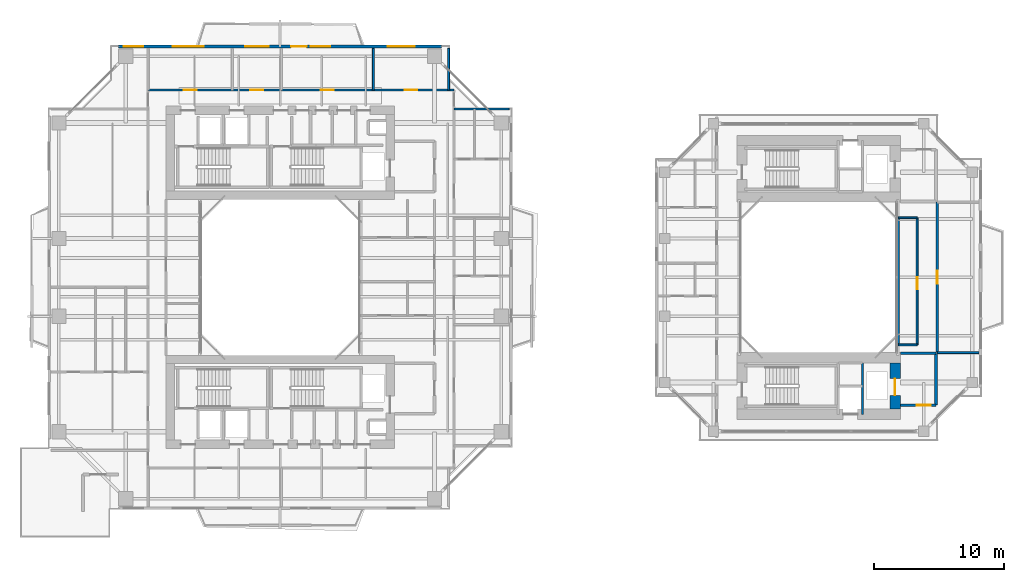
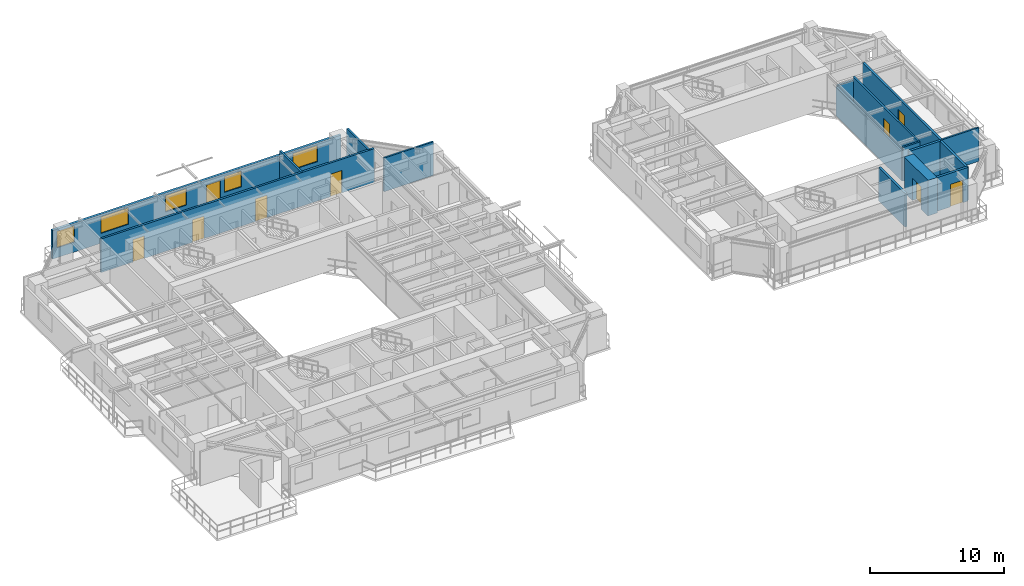
# One storey, part 17 of 23: 16 walls, 9 doors, 5 windows, 14 openings.
"""IFC4 building model written with IfcOpenShell, lengths in metres."""

from ifc_helpers import new_model, si_unit, direction, frame, frame_2d, origin, place, context, subcontext, project, spatial, rectangle, extrude, source, transform, mapped, material, layer, layer_set, type_object, element, fill, save


model = new_model("IFC4")

# Units and contexts
model_context = context("Model", 3, precision=1e-05, world=origin(), true_north=direction((0.0, 1.0)))
body_context = subcontext(model_context, "Body", "Model", "MODEL_VIEW")
ifc_project = project(units=[si_unit("LENGTHUNIT", "METRE"), si_unit("AREAUNIT", "SQUARE_METRE"), si_unit("VOLUMEUNIT", "CUBIC_METRE"), si_unit("PLANEANGLEUNIT", "RADIAN"), si_unit("MASSUNIT", "GRAM", prefix="KILO"), si_unit("THERMODYNAMICTEMPERATUREUNIT", "KELVIN"), si_unit("POWERUNIT", "WATT")], contexts=[model_context])

# Site, building, storey
site_placement = place(None, origin())
site = spatial("IfcSite", under=ifc_project, at=site_placement, CompositionType="ELEMENT")
building_placement = place(site_placement, origin())
building = spatial("IfcBuilding", under=site, at=building_placement, Name="Qiaomeng Ring Towers", CompositionType="ELEMENT")
storey_placement = place(building_placement, frame((0.0, 0.0, 103.5)))
storey = spatial("IfcBuildingStorey", under=building, at=storey_placement, Name="L29", CompositionType="ELEMENT", Elevation=103.5)

# Wall, openings, windows, door
ifc_material_1 = material(Name="Precast concrete C40", Category="concrete")
ifc_layer_1 = layer(ifc_material_1, 0.219970703125, Name="Precast concrete C40")
ifc_layer_set_1 = layer_set([ifc_layer_1], Name="Precast concrete C40")
wall_type_1 = type_object("IfcWallType", Name="ARC-WL-EW2", PredefinedType="STANDARD", material=ifc_layer_set_1)
wall_1_placement = place(storey_placement, frame((6.550048828125, 40.7900390625, 0.0), z_axis=(0.0, 0.0, 1.0), x_axis=(1.0, 0.0, 0.0)))
wall_1 = element("IfcWall", 1, at=wall_1_placement, inside=storey, type_object=wall_type_1, Name="L29 Tower 1 N Exterior Wall", PredefinedType="STANDARD", context=body_context, shape_type="SweptSolid", body=[
    extrude(rectangle(XDim=24.89990234375, YDim=0.219970703125, at=frame_2d((12.449951171875, 0.0))), origin(), (0.0, 0.0, 1.0), 2.610107421875),
])
opening_1_placement = place(wall_1_placement, frame((13.300048828125, 0.0, 0.0)))
opening_1 = element("IfcOpeningElement", 2, at=opening_1_placement, cuts=wall_1, Name="Opening BD1", PredefinedType="OPENING", context=body_context, shape_type="SweptSolid", body=[
    extrude(rectangle(XDim=1.199951171875, YDim=2.10009765625, at=frame_2d((0.60009765625, 1.050048828125))), frame((0.0, 0.119873046875, 0.0), z_axis=(0.0, -1.0, 0.0), x_axis=(1.0, 0.0, 0.0)), (0.0, 0.0, 1.0), 0.239990234375),
])
opening_2_placement = place(wall_1_placement, frame((0.392578125, 0.0, 0.89990234375)))
opening_2 = element("IfcOpeningElement", 3, at=opening_2_placement, cuts=wall_1, Name="Opening WN2", PredefinedType="OPENING", context=body_context, shape_type="SweptSolid", body=[
    extrude(rectangle(XDim=1.5, YDim=1.5, at=frame_2d((0.75, 0.75))), frame((0.0, 0.119873046875, 0.0), z_axis=(0.0, -1.0, 0.0), x_axis=(1.0, 0.0, 0.0)), (0.0, 0.0, 1.0), 0.239990234375),
])
opening_3_placement = place(wall_1_placement, frame((9.760009765625, 0.0, 0.89990234375)))
opening_3 = element("IfcOpeningElement", 4, at=opening_3_placement, cuts=wall_1, Name="Opening WN1", PredefinedType="OPENING", context=body_context, shape_type="SweptSolid", body=[
    extrude(rectangle(XDim=1.800048828125, YDim=1.5, at=frame_2d((0.89990234375, 0.75))), frame((0.0, 0.119873046875, 0.0), z_axis=(0.0, -1.0, 0.0), x_axis=(1.0, 0.0, 0.0)), (0.0, 0.0, 1.0), 0.239990234375),
])
opening_4_placement = place(wall_1_placement, frame((14.81298828125, 0.0, 0.89990234375)))
opening_4 = element("IfcOpeningElement", 5, at=opening_4_placement, cuts=wall_1, Name="Opening WN2", PredefinedType="OPENING", context=body_context, shape_type="SweptSolid", body=[
    extrude(rectangle(XDim=1.5, YDim=1.449951171875, at=frame_2d((0.75, 0.72509765625))), frame((0.0, 0.119873046875, 0.0), z_axis=(0.0, -1.0, 0.0), x_axis=(1.0, 0.0, 0.0)), (0.0, 0.0, 1.0), 0.239990234375),
])
opening_5_placement = place(wall_1_placement, frame((20.738037109375, 0.0, 0.89990234375)))
opening_5 = element("IfcOpeningElement", 6, at=opening_5_placement, cuts=wall_1, Name="Opening WN4", PredefinedType="OPENING", context=body_context, shape_type="SweptSolid", body=[
    extrude(rectangle(XDim=2.10009765625, YDim=1.47998046875, at=frame_2d((1.050048828125, 0.739990234375))), frame((0.0, 0.119873046875, 0.0), z_axis=(0.0, -1.0, 0.0), x_axis=(1.0, 0.0, 0.0)), (0.0, 0.0, 1.0), 0.239990234375),
])
opening_6_placement = place(wall_1_placement, frame((4.17138671875, 0.0, 0.89990234375)))
opening_6 = element("IfcOpeningElement", 7, at=opening_6_placement, cuts=wall_1, Name="Opening WN6", PredefinedType="OPENING", context=body_context, shape_type="SweptSolid", body=[
    extrude(rectangle(XDim=2.39990234375, YDim=1.5, at=frame_2d((1.199951171875, 0.75))), frame((0.0, 0.119873046875, 0.0), z_axis=(0.0, -1.0, 0.0), x_axis=(1.0, 0.0, 0.0)), (0.0, 0.0, 1.0), 0.239990234375),
])
ifc_material_2 = material(Name="Low-E dark-grey laminated double glazing", Category="glass")
window_type_1 = type_object("IfcWindowType", Name="ARC-WN-2", PartitioningType="DOUBLE_PANEL_VERTICAL", PredefinedType="WINDOW", material=ifc_material_2)
shared_shape_1 = source(origin(), body_context, "Body", "SweptSolid", [
    extrude(rectangle(XDim=1.5, YDim=1.449951171875, at=frame_2d((0.75, 0.72509765625))), frame((0.0, 0.030029296875, 0.0), z_axis=(0.0, -1.0, 0.0), x_axis=(1.0, 0.0, 0.0)), (0.0, 0.0, 1.0), 0.06005859375),
])
window_1_placement = place(opening_4_placement, origin())
window_1 = element("IfcWindow", 8, at=window_1_placement, inside=storey, type_object=window_type_1, Name="L29 Exterior Window WN2", OverallHeight=1.449951171875, OverallWidth=1.5, PartitioningType="DOUBLE_PANEL_VERTICAL", PredefinedType="WINDOW", context=body_context, shape_type="MappedRepresentation", body=[
    mapped(shared_shape_1, transform((0.0, 0.0, 0.0), x_axis=(1.0, 0.0, 0.0), y_axis=(0.0, 1.0, 0.0), z_axis=(0.0, 0.0, 1.0), scale=1.0)),
])
fill(opening_4, window_1)
window_type_2 = type_object("IfcWindowType", Name="ARC-WN-4", PartitioningType="TRIPLE_PANEL_VERTICAL", PredefinedType="WINDOW", material=ifc_material_2)
shared_shape_2 = source(origin(), body_context, "Body", "SweptSolid", [
    extrude(rectangle(XDim=2.10009765625, YDim=1.47998046875, at=frame_2d((1.050048828125, 0.739990234375))), frame((0.0, 0.030029296875, 0.0), z_axis=(0.0, -1.0, 0.0), x_axis=(1.0, 0.0, 0.0)), (0.0, 0.0, 1.0), 0.06005859375),
])
window_2_placement = place(opening_5_placement, origin())
window_2 = element("IfcWindow", 9, at=window_2_placement, inside=storey, type_object=window_type_2, Name="L29 Exterior Window WN4", OverallHeight=1.47998046875, OverallWidth=2.10009765625, PartitioningType="TRIPLE_PANEL_VERTICAL", PredefinedType="WINDOW", context=body_context, shape_type="MappedRepresentation", body=[
    mapped(shared_shape_2, transform((0.0, 0.0, 0.0), x_axis=(1.0, 0.0, 0.0), y_axis=(0.0, 1.0, 0.0), z_axis=(0.0, 0.0, 1.0), scale=1.0)),
])
fill(opening_5, window_2)
door_type_1 = type_object("IfcDoorType", Name="ARC-DR-BD1", OperationType="NOTDEFINED", PredefinedType="DOOR", material=ifc_material_2)
shared_shape_3 = source(origin(), body_context, "Body", "SweptSolid", [
    extrude(rectangle(XDim=1.199951171875, YDim=2.10009765625, at=frame_2d((0.60009765625, 1.050048828125))), frame((0.0, 0.02490234375, 0.0), z_axis=(0.0, -1.0, 0.0), x_axis=(1.0, 0.0, 0.0)), (0.0, 0.0, 1.0), 0.050048828125),
])
door_1_placement = place(opening_1_placement, origin())
door_1 = element("IfcDoor", 10, at=door_1_placement, inside=storey, type_object=door_type_1, Name="L29 N Balcony Glazed Door", OperationType="SINGLE_SWING_LEFT", OverallHeight=2.10009765625, OverallWidth=1.199951171875, PredefinedType="DOOR", context=body_context, shape_type="MappedRepresentation", body=[
    mapped(shared_shape_3, transform((0.0, 0.0, 0.0), x_axis=(1.0, 0.0, 0.0), y_axis=(0.0, 1.0, 0.0), z_axis=(0.0, 0.0, 1.0), scale=1.0)),
])
fill(opening_1, door_1)
shared_shape_4 = source(origin(), body_context, "Body", "SweptSolid", [
    extrude(rectangle(XDim=1.5, YDim=1.5, at=frame_2d((0.75, 0.75))), frame((0.0, 0.030029296875, 0.0), z_axis=(0.0, -1.0, 0.0), x_axis=(1.0, 0.0, 0.0)), (0.0, 0.0, 1.0), 0.06005859375),
])
window_3_placement = place(opening_2_placement, origin())
window_3 = element("IfcWindow", 11, at=window_3_placement, inside=storey, type_object=window_type_1, Name="L29 Exterior Window WN6", OverallHeight=1.5, OverallWidth=1.5, PartitioningType="TRIPLE_PANEL_VERTICAL", PredefinedType="WINDOW", context=body_context, shape_type="MappedRepresentation", body=[
    mapped(shared_shape_4, transform((0.0, 0.0, 0.0), x_axis=(1.0, 0.0, 0.0), y_axis=(0.0, 1.0, 0.0), z_axis=(0.0, 0.0, 1.0), scale=1.0)),
])
fill(opening_2, window_3)
window_type_3 = type_object("IfcWindowType", Name="ARC-WN-6", PartitioningType="TRIPLE_PANEL_VERTICAL", PredefinedType="WINDOW", material=ifc_material_2)
shared_shape_5 = source(origin(), body_context, "Body", "SweptSolid", [
    extrude(rectangle(XDim=2.39990234375, YDim=1.5, at=frame_2d((1.199951171875, 0.75))), frame((0.0, 0.030029296875, 0.0), z_axis=(0.0, -1.0, 0.0), x_axis=(1.0, 0.0, 0.0)), (0.0, 0.0, 1.0), 0.06005859375),
])
window_4_placement = place(opening_6_placement, origin())
window_4 = element("IfcWindow", 12, at=window_4_placement, inside=storey, type_object=window_type_3, Name="L29 Exterior Window WN6", OverallHeight=1.5, OverallWidth=2.39990234375, PartitioningType="TRIPLE_PANEL_VERTICAL", PredefinedType="WINDOW", context=body_context, shape_type="MappedRepresentation", body=[
    mapped(shared_shape_5, transform((0.0, 0.0, 0.0), x_axis=(1.0, 0.0, 0.0), y_axis=(0.0, 1.0, 0.0), z_axis=(0.0, 0.0, 1.0), scale=1.0)),
])
fill(opening_6, window_4)
window_type_4 = type_object("IfcWindowType", Name="ARC-WN-1", PartitioningType="DOUBLE_PANEL_VERTICAL", PredefinedType="WINDOW", material=ifc_material_2)
shared_shape_6 = source(origin(), body_context, "Body", "SweptSolid", [
    extrude(rectangle(XDim=1.800048828125, YDim=1.5, at=frame_2d((0.89990234375, 0.75))), frame((0.0, 0.030029296875, 0.0), z_axis=(0.0, -1.0, 0.0), x_axis=(1.0, 0.0, 0.0)), (0.0, 0.0, 1.0), 0.06005859375),
])
window_5_placement = place(opening_3_placement, origin())
window_5 = element("IfcWindow", 13, at=window_5_placement, inside=storey, type_object=window_type_4, Name="L29 Exterior Window WN1", OverallHeight=1.5, OverallWidth=1.800048828125, PartitioningType="DOUBLE_PANEL_VERTICAL", PredefinedType="WINDOW", context=body_context, shape_type="MappedRepresentation", body=[
    mapped(shared_shape_6, transform((0.0, 0.0, 0.0), x_axis=(1.0, 0.0, 0.0), y_axis=(0.0, 1.0, 0.0), z_axis=(0.0, 0.0, 1.0), scale=1.0)),
])
fill(opening_3, window_5)

# Walls
ifc_material_3 = material(Name="Autoclaved aerated concrete block", Category="concrete")
ifc_layer_2 = layer(ifc_material_3, 0.199951171875, Name="Autoclaved aerated concrete block")
ifc_layer_set_2 = layer_set([ifc_layer_2], Name="Autoclaved aerated concrete block")
wall_type_2 = type_object("IfcWallType", Name="ARC-WL-PW1", PredefinedType="PARTITIONING", material=ifc_layer_set_2)
wall_2_placement = place(storey_placement, frame((66.800048828125, 17.14990234375, 0.0), z_axis=(0.0, 0.0, 1.0), x_axis=(1.0, 0.0, 0.0)))
element("IfcWall", 14, at=wall_2_placement, inside=storey, type_object=wall_type_2, Name="L29 Interior Wall PW1", PredefinedType="PARTITIONING", context=body_context, shape_type="SweptSolid", body=[
    extrude(rectangle(XDim=2.75, YDim=0.199951171875, at=frame_2d((1.375, 0.0))), origin(), (0.0, 0.0, 1.0), 3.070068359375),
])
wall_3_placement = place(storey_placement, frame((69.550048828125, 13.14990234375, 0.0), z_axis=(0.0, 0.0, 1.0), x_axis=(0.0, 1.0, 0.0)))
element("IfcWall", 15, at=wall_3_placement, inside=storey, type_object=wall_type_2, Name="L29 Interior Wall PW1", PredefinedType="PARTITIONING", context=body_context, shape_type="SweptSolid", body=[
    extrude(rectangle(XDim=4.0, YDim=0.199951171875, at=frame_2d((2.0, 0.0))), origin(), (0.0, 0.0, 1.0), 3.070068359375),
])

# Wall, opening, door
wall_4_placement = place(storey_placement, frame((66.800048828125, 13.14990234375, 0.0), z_axis=(0.0, 0.0, 1.0), x_axis=(1.0, 0.0, 0.0)))
wall_4 = element("IfcWall", 16, at=wall_4_placement, inside=storey, type_object=wall_type_2, Name="L29 Interior Wall PW1", PredefinedType="PARTITIONING", context=body_context, shape_type="SweptSolid", body=[
    extrude(rectangle(XDim=2.75, YDim=0.199951171875, at=frame_2d((1.375, 0.0))), origin(), (0.0, 0.0, 1.0), 3.070068359375),
])
opening_7_placement = place(wall_4_placement, frame((1.25, 0.0, 0.0)))
opening_7 = element("IfcOpeningElement", 17, at=opening_7_placement, cuts=wall_4, Name="Opening FD3", PredefinedType="OPENING", context=body_context, shape_type="SweptSolid", body=[
    extrude(rectangle(XDim=1.10009765625, YDim=2.050048828125, at=frame_2d((0.550048828125, 1.02490234375))), frame((0.0, 0.10986328125, 0.0), z_axis=(0.0, -1.0, 0.0), x_axis=(1.0, 0.0, 0.0)), (0.0, 0.0, 1.0), 0.219970703125),
])
ifc_material_4 = material(Name="Galvanised steel", Category="steel")
door_type_2 = type_object("IfcDoorType", Name="ARC-DR-FD3", OperationType="NOTDEFINED", PredefinedType="DOOR", material=ifc_material_4)
shared_shape_7 = source(origin(), body_context, "Body", "SweptSolid", [
    extrude(rectangle(XDim=1.10009765625, YDim=2.050048828125, at=frame_2d((0.550048828125, 1.02490234375))), frame((0.0, 0.02490234375, 0.0), z_axis=(0.0, -1.0, 0.0), x_axis=(1.0, 0.0, 0.0)), (0.0, 0.0, 1.0), 0.050048828125),
])
door_2_placement = place(opening_7_placement, origin())
door_2 = element("IfcDoor", 18, at=door_2_placement, inside=storey, type_object=door_type_2, Name="L29 Door FD3", OperationType="SINGLE_SWING_LEFT", OverallHeight=2.050048828125, OverallWidth=1.10009765625, PredefinedType="DOOR", context=body_context, shape_type="MappedRepresentation", body=[
    mapped(shared_shape_7, transform((0.0, 0.0, 0.0), x_axis=(1.0, 0.0, 0.0), y_axis=(0.0, 1.0, 0.0), z_axis=(0.0, 0.0, 1.0), scale=1.0)),
])
fill(opening_7, door_2)

# Wall, openings, doors
ifc_layer_3 = layer(ifc_material_3, 0.179931640625, Name="Autoclaved aerated concrete block")
ifc_layer_set_3 = layer_set([ifc_layer_3], Name="Autoclaved aerated concrete block")
wall_type_3 = type_object("IfcWallType", Name="ARC-WL-PW2", PredefinedType="PARTITIONING", material=ifc_layer_set_3)
wall_5_placement = place(storey_placement, frame((8.820068359375, 37.43994140625, 0.0), z_axis=(0.0, 0.0, 1.0), x_axis=(1.0, 0.0, 0.0)))
wall_5 = element("IfcWall", 19, at=wall_5_placement, inside=storey, type_object=wall_type_3, Name="L29 Interior Wall PW2", PredefinedType="PARTITIONING", context=body_context, shape_type="SweptSolid", body=[
    extrude(rectangle(XDim=23.579833984375, YDim=0.179931640625, at=frame_2d((11.7900390625, 0.0))), origin(), (0.0, 0.0, 1.0), 3.070068359375),
])
opening_8_placement = place(wall_5_placement, frame((2.75, 0.0, 0.0)))
opening_8 = element("IfcOpeningElement", 20, at=opening_8_placement, cuts=wall_5, Name="Opening FD4", PredefinedType="OPENING", context=body_context, shape_type="SweptSolid", body=[
    extrude(rectangle(XDim=1.0, YDim=2.050048828125, at=frame_2d((0.5, 1.02490234375))), frame((0.0, 0.099853515625, 0.0), z_axis=(0.0, -1.0, 0.0), x_axis=(1.0, 0.0, 0.0)), (0.0, 0.0, 1.0), 0.199951171875),
])
opening_9_placement = place(wall_5_placement, frame((7.889892578125, 0.0, 0.0)))
opening_9 = element("IfcOpeningElement", 21, at=opening_9_placement, cuts=wall_5, Name="Opening FD4", PredefinedType="OPENING", context=body_context, shape_type="SweptSolid", body=[
    extrude(rectangle(XDim=1.0, YDim=2.050048828125, at=frame_2d((0.5, 1.02490234375))), frame((0.0, 0.099853515625, 0.0), z_axis=(0.0, -1.0, 0.0), x_axis=(1.0, 0.0, 0.0)), (0.0, 0.0, 1.0), 0.199951171875),
])
opening_10_placement = place(wall_5_placement, frame((13.324951171875, 0.0, 0.0)))
opening_10 = element("IfcOpeningElement", 22, at=opening_10_placement, cuts=wall_5, Name="Opening FD4", PredefinedType="OPENING", context=body_context, shape_type="SweptSolid", body=[
    extrude(rectangle(XDim=1.0, YDim=2.050048828125, at=frame_2d((0.5, 1.02490234375))), frame((0.0, 0.099853515625, 0.0), z_axis=(0.0, -1.0, 0.0), x_axis=(1.0, 0.0, 0.0)), (0.0, 0.0, 1.0), 0.199951171875),
])
opening_11_placement = place(wall_5_placement, frame((19.764892578125, 0.0, 0.0)))
opening_11 = element("IfcOpeningElement", 23, at=opening_11_placement, cuts=wall_5, Name="Opening FD4", PredefinedType="OPENING", context=body_context, shape_type="SweptSolid", body=[
    extrude(rectangle(XDim=1.0, YDim=2.050048828125, at=frame_2d((0.5, 1.02490234375))), frame((0.0, 0.099853515625, 0.0), z_axis=(0.0, -1.0, 0.0), x_axis=(1.0, 0.0, 0.0)), (0.0, 0.0, 1.0), 0.199951171875),
])
ifc_material_5 = material(Name="Engineered fire-rated oak timber", Category="wood")
door_type_3 = type_object("IfcDoorType", Name="ARC-DR-FD4", OperationType="NOTDEFINED", PredefinedType="DOOR", material=ifc_material_5)
shared_shape_8 = source(origin(), body_context, "Body", "SweptSolid", [
    extrude(rectangle(XDim=1.0, YDim=2.050048828125, at=frame_2d((0.5, 1.02490234375))), frame((0.0, 0.02490234375, 0.0), z_axis=(0.0, -1.0, 0.0), x_axis=(1.0, 0.0, 0.0)), (0.0, 0.0, 1.0), 0.050048828125),
])
door_3_placement = place(opening_8_placement, origin())
door_3 = element("IfcDoor", 24, at=door_3_placement, inside=storey, type_object=door_type_3, Name="L29 Door FD4", OperationType="SINGLE_SWING_LEFT", OverallHeight=2.050048828125, OverallWidth=1.0, PredefinedType="DOOR", context=body_context, shape_type="MappedRepresentation", body=[
    mapped(shared_shape_8, transform((0.0, 0.0, 0.0), x_axis=(1.0, 0.0, 0.0), y_axis=(0.0, 1.0, 0.0), z_axis=(0.0, 0.0, 1.0), scale=1.0)),
])
fill(opening_8, door_3)
door_4_placement = place(opening_9_placement, origin())
door_4 = element("IfcDoor", 25, at=door_4_placement, inside=storey, type_object=door_type_3, Name="L29 Door FD4", OperationType="SINGLE_SWING_RIGHT", OverallHeight=2.050048828125, OverallWidth=1.0, PredefinedType="DOOR", context=body_context, shape_type="MappedRepresentation", body=[
    mapped(shared_shape_8, transform((0.0, 0.0, 0.0), x_axis=(1.0, 0.0, 0.0), y_axis=(0.0, 1.0, 0.0), z_axis=(0.0, 0.0, 1.0), scale=1.0)),
])
fill(opening_9, door_4)
door_5_placement = place(opening_10_placement, origin())
door_5 = element("IfcDoor", 26, at=door_5_placement, inside=storey, type_object=door_type_3, Name="L29 Door FD4", OperationType="SINGLE_SWING_LEFT", OverallHeight=2.050048828125, OverallWidth=1.0, PredefinedType="DOOR", context=body_context, shape_type="MappedRepresentation", body=[
    mapped(shared_shape_8, transform((0.0, 0.0, 0.0), x_axis=(1.0, 0.0, 0.0), y_axis=(0.0, 1.0, 0.0), z_axis=(0.0, 0.0, 1.0), scale=1.0)),
])
fill(opening_10, door_5)
door_6_placement = place(opening_11_placement, origin())
door_6 = element("IfcDoor", 27, at=door_6_placement, inside=storey, type_object=door_type_3, Name="L29 Door FD4", OperationType="SINGLE_SWING_RIGHT", OverallHeight=2.050048828125, OverallWidth=1.0, PredefinedType="DOOR", context=body_context, shape_type="MappedRepresentation", body=[
    mapped(shared_shape_8, transform((0.0, 0.0, 0.0), x_axis=(1.0, 0.0, 0.0), y_axis=(0.0, 1.0, 0.0), z_axis=(0.0, 0.0, 1.0), scale=1.0)),
])
fill(opening_11, door_6)

# Wall, opening, door
wall_6_placement = place(storey_placement, frame((69.64990234375, 17.199951171875, 0.0), z_axis=(0.0, 0.0, 1.0), x_axis=(0.0, 1.0, 0.0)))
wall_6 = element("IfcWall", 28, at=wall_6_placement, inside=storey, type_object=wall_type_3, Name="L29 Interior Wall PW2", PredefinedType="PARTITIONING", context=body_context, shape_type="SweptSolid", body=[
    extrude(rectangle(XDim=11.60009765625, YDim=0.179931640625, at=frame_2d((5.800048828125, 0.0))), origin(), (0.0, 0.0, 1.0), 3.070068359375),
])
opening_12_placement = place(wall_6_placement, frame((5.300048828125, 0.0, 0.0)))
opening_12 = element("IfcOpeningElement", 29, at=opening_12_placement, cuts=wall_6, Name="Opening FD4", PredefinedType="OPENING", context=body_context, shape_type="SweptSolid", body=[
    extrude(rectangle(XDim=1.0, YDim=2.050048828125, at=frame_2d((0.5, 1.02490234375))), frame((0.0, 0.099853515625, 0.0), z_axis=(0.0, -1.0, 0.0), x_axis=(1.0, 0.0, 0.0)), (0.0, 0.0, 1.0), 0.199951171875),
])
door_7_placement = place(opening_12_placement, origin())
door_7 = element("IfcDoor", 30, at=door_7_placement, inside=storey, type_object=door_type_3, Name="L29 Door FD4", OperationType="SINGLE_SWING_LEFT", OverallHeight=2.050048828125, OverallWidth=1.0, PredefinedType="DOOR", context=body_context, shape_type="MappedRepresentation", body=[
    mapped(shared_shape_8, transform((0.0, 0.0, 0.0), x_axis=(1.0, 0.0, 0.0), y_axis=(0.0, 1.0, 0.0), z_axis=(0.0, 0.0, 1.0), scale=1.0)),
])
fill(opening_12, door_7)

# Walls
ifc_material_6 = material(Name="Gypsum fireboard steel-stud partition", Category="steel")
ifc_layer_4 = layer(ifc_material_6, 0.14990234375, Name="Gypsum fireboard steel-stud partition")
ifc_layer_set_4 = layer_set([ifc_layer_4], Name="Gypsum fireboard steel-stud partition")
wall_type_4 = type_object("IfcWallType", Name="ARC-WL-PW3", PredefinedType="PARTITIONING", material=ifc_layer_set_4)
for number, where, z_axis, x_axis, name in (
    (31, (26.18994140625, 37.43994140625, 0.0), (0.0, 0.0, 1.0), (0.0, 1.0, 0.0), "L29 Interior Wall PW3"),
    (32, (31.97998046875, 37.43994140625, 0.0), (0.0, 0.0, 1.0), (0.0, 1.0, 0.0), "L29 Interior Wall PW3"),
):
    element("IfcWall", number, at=place(storey_placement, frame(where, z_axis=z_axis, x_axis=x_axis)), inside=storey, type_object=wall_type_4, Name=name, PredefinedType="PARTITIONING", context=body_context, shape_type="SweptSolid", body=[
        extrude(rectangle(XDim=3.2099609375, YDim=0.14990234375, at=frame_2d((1.60498046875, 0.0))), origin(), (0.0, 0.0, 1.0), 3.070068359375),
    ])
wall_7_placement = place(storey_placement, frame((32.39990234375, 35.97998046875, 0.0), z_axis=(0.0, 0.0, 1.0), x_axis=(1.0, 0.0, 0.0)))
element("IfcWall", 33, at=wall_7_placement, inside=storey, type_object=wall_type_4, Name="L29 Interior Wall PW3", PredefinedType="PARTITIONING", context=body_context, shape_type="SweptSolid", body=[
    extrude(rectangle(XDim=4.25, YDim=0.14990234375, at=frame_2d((2.125, 0.0))), origin(), (0.0, 0.0, 1.0), 3.070068359375),
])
wall_8_placement = place(storey_placement, frame((69.64990234375, 17.199951171875, 0.0), z_axis=(0.0, 0.0, 1.0), x_axis=(1.0, 0.0, 0.0)))
element("IfcWall", 34, at=wall_8_placement, inside=storey, type_object=wall_type_4, Name="L29 Interior Wall PW3", PredefinedType="PARTITIONING", context=body_context, shape_type="SweptSolid", body=[
    extrude(rectangle(XDim=3.2001953125, YDim=0.14990234375, at=frame_2d((1.60009765625, 0.0))), origin(), (0.0, 0.0, 1.0), 3.070068359375),
])

# Wall, opening, door
wall_9_placement = place(storey_placement, frame((68.10009765625, 17.800048828125, 0.0), z_axis=(0.0, 0.0, 1.0), x_axis=(0.0, 1.0, 0.0)))
wall_9 = element("IfcWall", 35, at=wall_9_placement, inside=storey, type_object=wall_type_4, Name="L29 Interior Wall PW3", PredefinedType="PARTITIONING", context=body_context, shape_type="SweptSolid", body=[
    extrude(rectangle(XDim=9.800048828125, YDim=0.14990234375, at=frame_2d((4.89990234375, 0.0))), origin(), (0.0, 0.0, 1.0), 3.070068359375),
])
opening_13_placement = place(wall_9_placement, frame((4.300048828125, 0.0, 0.0)))
opening_13 = element("IfcOpeningElement", 36, at=opening_13_placement, cuts=wall_9, Name="Opening ID1", PredefinedType="OPENING", context=body_context, shape_type="SweptSolid", body=[
    extrude(rectangle(XDim=0.89990234375, YDim=2.050048828125, at=frame_2d((0.449951171875, 1.02490234375))), frame((0.0, 0.0849609375, 0.0), z_axis=(0.0, -1.0, 0.0), x_axis=(1.0, 0.0, 0.0)), (0.0, 0.0, 1.0), 0.169921875),
])
ifc_material_7 = material(Name="Engineered oak timber", Category="wood")
door_type_4 = type_object("IfcDoorType", Name="ARC-DR-ID1", OperationType="NOTDEFINED", PredefinedType="DOOR", material=ifc_material_7)
shared_shape_9 = source(origin(), body_context, "Body", "SweptSolid", [
    extrude(rectangle(XDim=0.89990234375, YDim=2.050048828125, at=frame_2d((0.449951171875, 1.02490234375))), frame((0.0, 0.02490234375, 0.0), z_axis=(0.0, -1.0, 0.0), x_axis=(1.0, 0.0, 0.0)), (0.0, 0.0, 1.0), 0.050048828125),
])
door_8_placement = place(opening_13_placement, origin())
door_8 = element("IfcDoor", 37, at=door_8_placement, inside=storey, type_object=door_type_4, Name="L29 Door ID1", OperationType="SINGLE_SWING_RIGHT", OverallHeight=2.050048828125, OverallWidth=0.89990234375, PredefinedType="DOOR", context=body_context, shape_type="MappedRepresentation", body=[
    mapped(shared_shape_9, transform((0.0, 0.0, 0.0), x_axis=(1.0, 0.0, 0.0), y_axis=(0.0, 1.0, 0.0), z_axis=(0.0, 0.0, 1.0), scale=1.0)),
])
fill(opening_13, door_8)

# Walls
wall_10_placement = place(storey_placement, frame((66.64990234375, 27.60009765625, 0.0), z_axis=(0.0, 0.0, 1.0), x_axis=(1.0, 0.0, 0.0)))
element("IfcWall", 38, at=wall_10_placement, inside=storey, type_object=wall_type_4, Name="L29 Interior Wall PW3", PredefinedType="PARTITIONING", context=body_context, shape_type="SweptSolid", body=[
    extrude(rectangle(XDim=1.4501953125, YDim=0.14990234375, at=frame_2d((0.72509765625, 0.0))), origin(), (0.0, 0.0, 1.0), 2.77099609375),
])
wall_11_placement = place(storey_placement, frame((66.64990234375, 17.800048828125, 0.0), z_axis=(0.0, 0.0, 1.0), x_axis=(1.0, 0.0, 0.0)))
element("IfcWall", 39, at=wall_11_placement, inside=storey, type_object=wall_type_4, Name="L29 Interior Wall PW3", PredefinedType="PARTITIONING", context=body_context, shape_type="SweptSolid", body=[
    extrude(rectangle(XDim=1.4501953125, YDim=0.14990234375, at=frame_2d((0.72509765625, 0.0))), origin(), (0.0, 0.0, 1.0), 3.070068359375),
])
wall_12_placement = place(storey_placement, frame((66.64990234375, 17.800048828125, 0.0), z_axis=(0.0, 0.0, 1.0), x_axis=(0.0, 1.0, 0.0)))
element("IfcWall", 40, at=wall_12_placement, inside=storey, type_object=wall_type_4, Name="L29 Interior Wall PW3", PredefinedType="PARTITIONING", context=body_context, shape_type="SweptSolid", body=[
    extrude(rectangle(XDim=9.800048828125, YDim=0.14990234375, at=frame_2d((4.89990234375, 0.0))), origin(), (0.0, 0.0, 1.0), 2.6650390625),
])
ifc_material_8 = material(Name="Concrete C40", Category="concrete")
ifc_layer_5 = layer(ifc_material_8, 0.199951171875, Name="Concrete C40")
ifc_layer_set_5 = layer_set([ifc_layer_5], Name="Concrete C40")
wall_type_5 = type_object("IfcWallType", Name="STR-WL-STSHAFT", PredefinedType="SHEAR", material=ifc_layer_set_5)
wall_13_placement = place(storey_placement, frame((63.8798828125, 12.449951171875, 0.0), z_axis=(0.0, 0.0, 1.0), x_axis=(0.0, 1.0, 0.0)))
element("IfcWall", 41, at=wall_13_placement, inside=storey, type_object=wall_type_5, Name="L29 Companion Lift Shaft East Wall S", PredefinedType="SHEAR", context=body_context, shape_type="SweptSolid", body=[
    extrude(rectangle(XDim=3.949951171875, YDim=0.179931640625, at=frame_2d((1.97509765625, 0.0))), origin(), (0.0, 0.0, 1.0), 3.070068359375),
])

# Wall, opening, door
ifc_material_9 = material(Name="Concrete C60", Category="concrete")
ifc_layer_6 = layer(ifc_material_9, 0.800048828125, Name="Concrete C60")
ifc_layer_set_6 = layer_set([ifc_layer_6], Name="Concrete C60")
wall_type_6 = type_object("IfcWallType", Name="STR-WL-SW1", PredefinedType="SHEAR", material=ifc_layer_set_6)
wall_14_placement = place(storey_placement, frame((66.39990234375, 12.85009765625, 0.0), z_axis=(0.0, 0.0, 1.0), x_axis=(0.0, 1.0, 0.0)))
wall_14 = element("IfcWall", 42, at=wall_14_placement, inside=storey, type_object=wall_type_6, Name="L29 T2SC east core shear wall", PredefinedType="SHEAR", context=body_context, shape_type="SweptSolid", body=[
    extrude(rectangle(XDim=3.5498046875, YDim=0.800048828125, at=frame_2d((1.77490234375, 0.0))), origin(), (0.0, 0.0, 1.0), 3.25),
])
opening_14_placement = place(wall_14_placement, frame((1.050048828125, 0.0, 0.0)))
opening_14 = element("IfcOpeningElement", 43, at=opening_14_placement, cuts=wall_14, Name="Opening LD2", PredefinedType="OPENING", context=body_context, shape_type="SweptSolid", body=[
    extrude(rectangle(XDim=1.300048828125, YDim=2.050048828125, at=frame_2d((0.64990234375, 1.02490234375))), frame((0.0, 0.409912109375, 0.0), z_axis=(0.0, -1.0, 0.0), x_axis=(1.0, 0.0, 0.0)), (0.0, 0.0, 1.0), 0.820068359375),
])
ifc_material_10 = material(Name="Stainless steel 316", Category="steel")
door_type_5 = type_object("IfcDoorType", Name="ARC-DR-LD2", OperationType="NOTDEFINED", PredefinedType="DOOR", material=ifc_material_10)
shared_shape_10 = source(origin(), body_context, "Body", "SweptSolid", [
    extrude(rectangle(XDim=1.300048828125, YDim=2.050048828125, at=frame_2d((0.64990234375, 1.02490234375))), frame((0.0, 0.02490234375, 0.0), z_axis=(0.0, -1.0, 0.0), x_axis=(1.0, 0.0, 0.0)), (0.0, 0.0, 1.0), 0.050048828125),
])
door_9_placement = place(opening_14_placement, origin())
door_9 = element("IfcDoor", 44, at=door_9_placement, inside=storey, type_object=door_type_5, Name="L29 Firefighting Lift FL4 Landing Door", OperationType="SLIDING_TO_RIGHT", OverallHeight=2.050048828125, OverallWidth=1.300048828125, PredefinedType="DOOR", context=body_context, shape_type="MappedRepresentation", body=[
    mapped(shared_shape_10, transform((0.0, 0.0, 0.0), x_axis=(1.0, 0.0, 0.0), y_axis=(0.0, 1.0, 0.0), z_axis=(0.0, 0.0, 1.0), scale=1.0)),
])
fill(opening_14, door_9)

save(model, "model.ifc")
